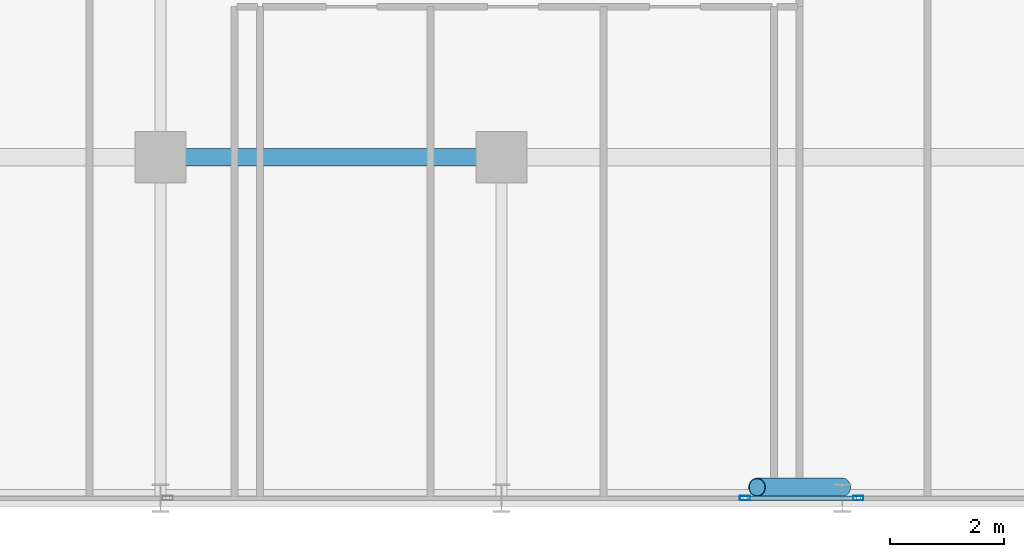
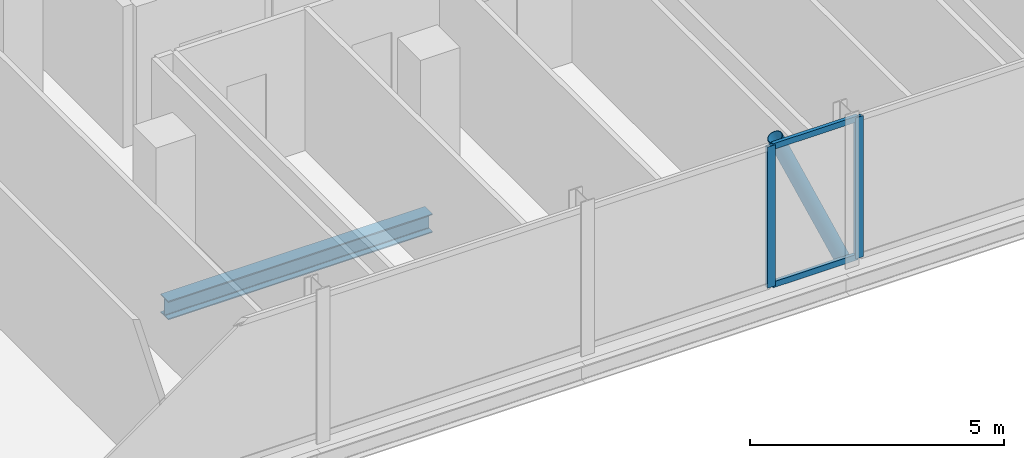
# One storey, part 9 of 32: 5 members, 1 beam, 2 elements without a shape of their own.
"""IFC4 building model written with IfcOpenShell, lengths in metres."""

from ifc_helpers import new_model, si_unit, direction, frame, origin, origin_2d, place, context, subcontext, project, spatial, hollow_rectangle, hollow_circle, i_section, extrude, material, layer, layer_set, material_profile, profile_set, type_object, element, aggregate, save


model = new_model("IFC4")

# Units and contexts
model_context = context("Model", 3, precision=1e-05, world=origin(), true_north=direction((0.0, 1.0)))
body_context = subcontext(model_context, "Body", "Model", "MODEL_VIEW")
ifc_project = project(units=[si_unit("LENGTHUNIT", "METRE"), si_unit("AREAUNIT", "SQUARE_METRE"), si_unit("VOLUMEUNIT", "CUBIC_METRE"), si_unit("PLANEANGLEUNIT", "RADIAN"), si_unit("MASSUNIT", "GRAM", prefix="KILO")], contexts=[model_context])

# Site, building, storey
site_placement = place(None, origin())
site = spatial("IfcSite", under=ifc_project, at=site_placement, CompositionType="ELEMENT")
building_placement = place(site_placement, origin())
building = spatial("IfcBuilding", under=site, at=building_placement, Name="Keshet Zoharim Tower", CompositionType="ELEMENT")
storey_placement = place(building_placement, frame((0.0, 0.0, 137.199951171875)))
storey = spatial("IfcBuildingStorey", under=building, at=storey_placement, Name="L33", CompositionType="ELEMENT", Elevation=137.199951171875)

# Beam
ifc_material_1 = material(Name="Steel S355", Category="steel")
ifc_material_profile_1 = material_profile(ifc_material_1, i_section(OverallWidth=0.300048828125, OverallDepth=0.449951171875, WebThickness=0.013916015625, FlangeThickness=0.02587890625, FilletRadius=0.027099609375, at=origin_2d()), Name="HEB450")
ifc_profile_set_1 = profile_set([ifc_material_profile_1], Name="Steel S355")
beam_type = type_object("IfcBeamType", Name="BM-WEB-HB450", PredefinedType="BEAM", material=ifc_profile_set_1)
beam_placement = place(storey_placement, frame((33.0, 6.699951171875, -0.5400390625), z_axis=(1.0, 0.0, 0.0), x_axis=(0.0, 1.0, 0.0)))
element("IfcBeam", 1, at=beam_placement, inside=storey, type_object=beam_type, Name="L33 Primary Girder X-007", PredefinedType="BEAM", context=body_context, shape_type="SweptSolid", body=[
    extrude(i_section(OverallWidth=0.300048828125, OverallDepth=0.449951171875, WebThickness=0.013916015625, FlangeThickness=0.02587890625, FilletRadius=0.027099609375, at=origin_2d()), origin(), (0.0, 0.0, 1.0), 6.0),
])

# Curtain wall, member
ifc_material_2 = material(Name="Aluminium 6063-T6", Category="aluminium")
ifc_layer = layer(ifc_material_2, 0.159912109375)
ifc_layer_set = layer_set([ifc_layer], Name="Aluminium 6063-T6")
curtain_wall_type = type_object("IfcCurtainWallType", Name="CW-SYS-03", PredefinedType="NOTDEFINED", material=ifc_layer_set)
curtain_wall_1_placement = place(storey_placement, origin())
curtain_wall_1 = element("IfcCurtainWall", 2, at=curtain_wall_1_placement, inside=storey, type_object=curtain_wall_type, Name="L33 Unitised Curtain Wall 03", PredefinedType="NOTDEFINED")
ifc_material_profile_2 = material_profile(ifc_material_2, hollow_rectangle(XDim=0.080078125, YDim=0.179931640625, WallThickness=0.00439453125, at=origin_2d()), Name="MUL-80x180")
ifc_profile_set_2 = profile_set([ifc_material_profile_2], Name="Aluminium 6063-T6")
member_type_1 = type_object("IfcMemberType", Name="CWM-M18", PredefinedType="MULLION", material=ifc_profile_set_2)
member_1_placement = place(storey_placement, frame((45.283203125, 0.699951171875, 0.0), z_axis=(0.0, 0.0, 1.0), x_axis=(0.0, -1.0, 0.0)))
member_1 = element("IfcMember", 3, at=member_1_placement, type_object=member_type_1, Name="CW-03 mullion 2", PredefinedType="MULLION", context=body_context, shape_type="SweptSolid", body=[
    extrude(hollow_rectangle(XDim=0.080078125, YDim=0.179931640625, WallThickness=0.00439453125, at=origin_2d()), origin(), (0.0, 0.0, 1.0), 3.385009765625),
])
aggregate(curtain_wall_1, [member_1])

# Curtain wall, members
curtain_wall_2_placement = place(storey_placement, origin())
curtain_wall_2 = element("IfcCurtainWall", 4, at=curtain_wall_2_placement, inside=storey, type_object=curtain_wall_type, Name="L33 Unitised Curtain Wall 03 Part 2", PredefinedType="NOTDEFINED")
member_2_placement = place(storey_placement, frame((43.286865234375, 0.699951171875, 0.0), z_axis=(0.0, 0.0, 1.0), x_axis=(0.0, -1.0, 0.0)))
member_2 = element("IfcMember", 5, at=member_2_placement, type_object=member_type_1, Name="CW-03 mullion 2", PredefinedType="MULLION", context=body_context, shape_type="SweptSolid", body=[
    extrude(hollow_rectangle(XDim=0.080078125, YDim=0.179931640625, WallThickness=0.00439453125, at=origin_2d()), origin(), (0.0, 0.0, 1.0), 3.385009765625),
])
ifc_material_profile_3 = material_profile(ifc_material_2, hollow_rectangle(XDim=0.080078125, YDim=0.139892578125, WallThickness=0.00390625, at=origin_2d()), Name="TRN-80x140")
ifc_profile_set_3 = profile_set([ifc_material_profile_3], Name="Aluminium 6063-T6")
member_type_2 = type_object("IfcMemberType", Name="CWT-T14", PredefinedType="USERDEFINED", material=ifc_profile_set_3)
member_3_placement = place(storey_placement, frame((45.248046875, 0.699951171875, 0.03515625), z_axis=(-1.0, 0.0, 0.0), x_axis=(0.0, -1.0, 0.0)))
member_3 = element("IfcMember", 6, at=member_3_placement, type_object=member_type_2, Name="CW-03 transom 1.1", ObjectType="TRANSOM", PredefinedType="USERDEFINED", context=body_context, shape_type="SweptSolid", body=[
    extrude(hollow_rectangle(XDim=0.080078125, YDim=0.139892578125, WallThickness=0.00390625, at=origin_2d()), origin(), (0.0, 0.0, 1.0), 1.926025390625),
])
member_4_placement = place(storey_placement, frame((45.248046875, 0.699951171875, 3.35009765625), z_axis=(-1.0, 0.0, 0.0), x_axis=(0.0, -1.0, 0.0)))
member_4 = element("IfcMember", 7, at=member_4_placement, type_object=member_type_2, Name="CW-03 transom 1.2", ObjectType="TRANSOM", PredefinedType="USERDEFINED", context=body_context, shape_type="SweptSolid", body=[
    extrude(hollow_rectangle(XDim=0.080078125, YDim=0.139892578125, WallThickness=0.00390625, at=origin_2d()), origin(), (0.0, 0.0, 1.0), 1.926025390625),
])
aggregate(curtain_wall_2, [member_2, member_3, member_4])

# Member
ifc_material_profile_4 = material_profile(ifc_material_1, hollow_circle(Radius=0.161865234375, WallThickness=0.012451171875, at=origin_2d()), Name="CHS323x12.5")
ifc_profile_set_4 = profile_set([ifc_material_profile_4], Name="Steel S355")
member_type_3 = type_object("IfcMemberType", Name="MB-BR-C323", PredefinedType="BRACE", material=ifc_profile_set_4)
member_5_placement = place(storey_placement, frame((45.0, 0.889892578125, 0.0), z_axis=(-0.405134846829, 0.0, 0.91425694194), x_axis=(0.0, -1.0, 0.0)))
element("IfcMember", 8, at=member_5_placement, inside=storey, type_object=member_type_3, Name="L33 Perimeter Tube Brace 04", PredefinedType="BRACE", context=body_context, shape_type="SweptSolid", body=[
    extrude(hollow_circle(Radius=0.161865234375, WallThickness=0.012451171875, at=origin_2d()), origin(), (0.0, 0.0, 1.0), 3.702392578125),
])

save(model, "model.ifc")
